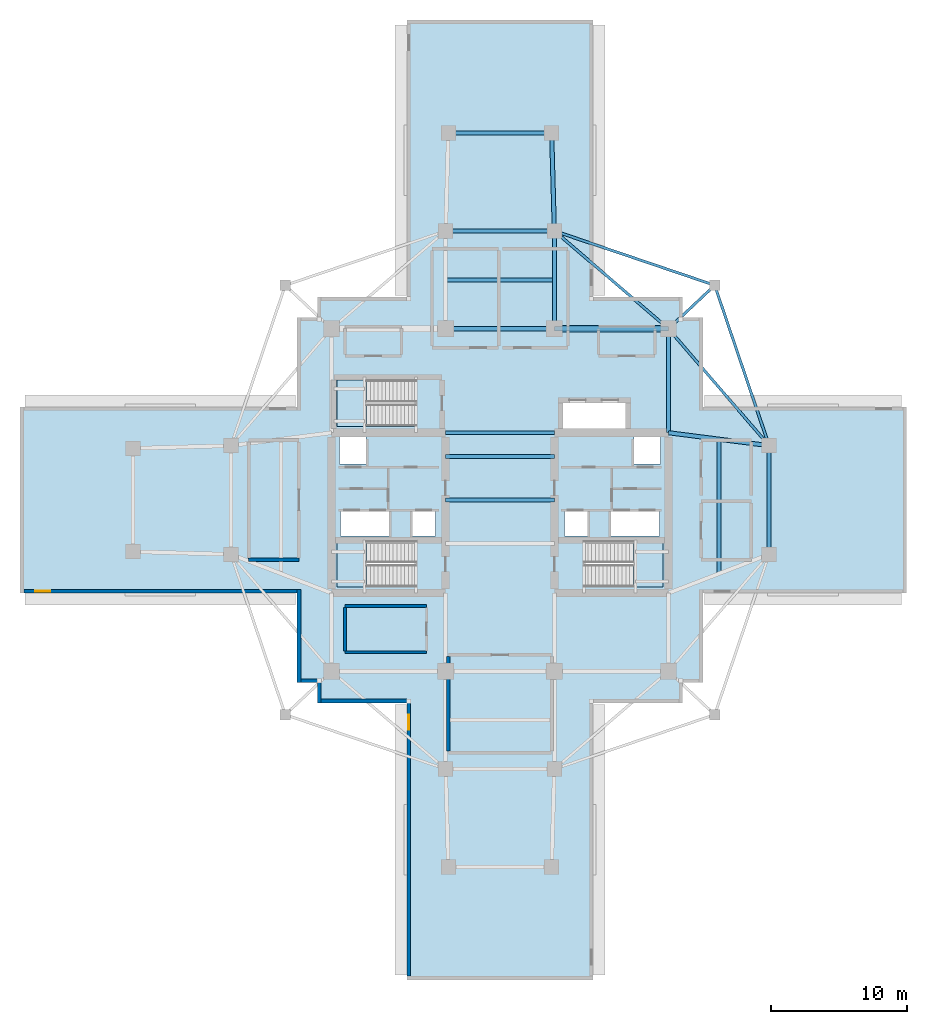
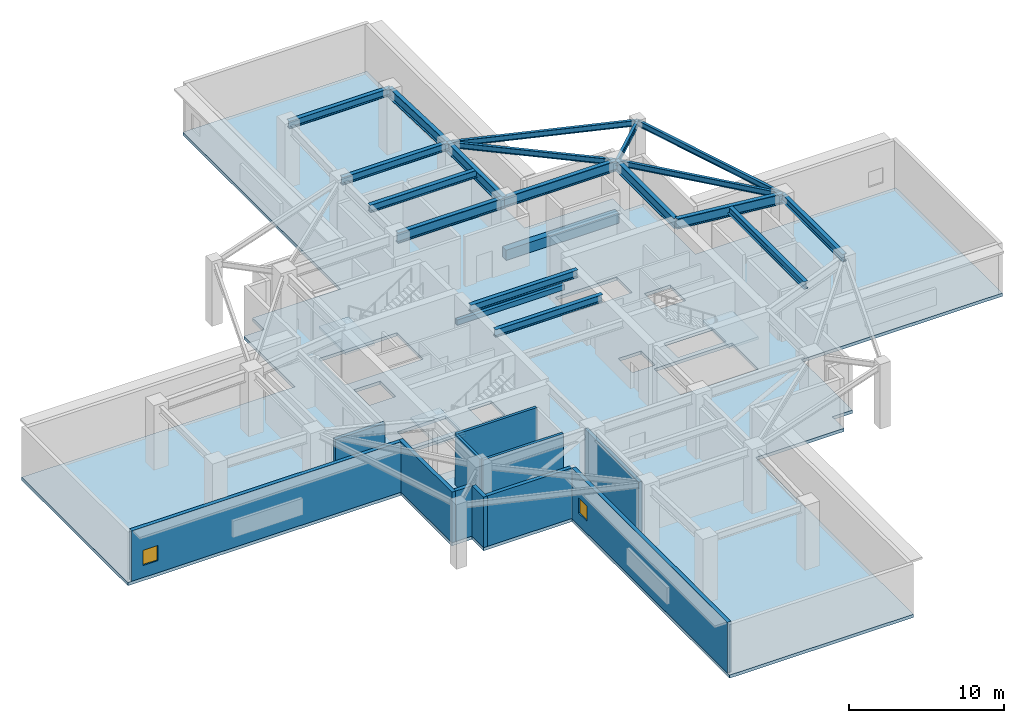
# One storey, part 2 of 11: 20 beams, 11 walls, 4 slabs, 2 windows, 2 openings, 3 elements without a shape of their own.
"""IFC4 building model written with IfcOpenShell, lengths in metres."""

from ifc_helpers import new_model, si_unit, direction, frame, frame_2d, origin, origin_2d, place, context, subcontext, project, spatial, polyline, rectangle, i_section, outline, extrude, material, layer, layer_set, material_profile, profile_set, type_object, element, fill, aggregate, save


model = new_model("IFC4")

# Units and contexts
model_context = context("Model", 3, precision=1e-05, world=origin(), true_north=direction((0.0, 1.0)))
body_context = subcontext(model_context, "Body", "Model", "MODEL_VIEW")
ifc_project = project(units=[si_unit("LENGTHUNIT", "METRE"), si_unit("AREAUNIT", "SQUARE_METRE"), si_unit("VOLUMEUNIT", "CUBIC_METRE"), si_unit("PLANEANGLEUNIT", "RADIAN"), si_unit("MASSUNIT", "GRAM", prefix="KILO")], contexts=[model_context])

# Site, building, storey
site_placement = place(None, origin())
site = spatial("IfcSite", under=ifc_project, at=site_placement, CompositionType="ELEMENT")
building_placement = place(site_placement, origin())
building = spatial("IfcBuilding", under=site, at=building_placement, Name="Qingluan Cross Belvedere", CompositionType="ELEMENT")
storey_placement = place(building_placement, frame((0.0, 0.0, 143.699951171875)))
storey = spatial("IfcBuildingStorey", under=building, at=storey_placement, Name="L36", CompositionType="ELEMENT", Elevation=143.699951171875)

# Beams
ifc_material_1 = material(Name="Concrete C45", Category="concrete")
ifc_material_profile_1 = material_profile(ifc_material_1, rectangle(XDim=0.25, YDim=0.39990234375, at=origin_2d()), Name="RC250x400")
ifc_profile_set_1 = profile_set([ifc_material_profile_1], Name="Concrete C45")
beam_type_1 = type_object("IfcBeamType", Name="RC_Lintel_RC250x400", PredefinedType="LINTEL", material=ifc_profile_set_1)
beam_1_placement = place(storey_placement, frame((-4.0, 4.949951171875, 2.449951171875), z_axis=(1.0, 0.0, 0.0), x_axis=(0.0, 1.0, 0.0)))
element("IfcBeam", 1, at=beam_1_placement, inside=storey, type_object=beam_type_1, Name="Core coupling lintel beam L36", PredefinedType="LINTEL", context=body_context, shape_type="SweptSolid", body=[
    extrude(rectangle(XDim=0.25, YDim=0.39990234375, at=origin_2d()), origin(), (0.0, 0.0, 1.0), 8.0),
])
ifc_material_2 = material(Name="Concrete C45", Category="concrete")
ifc_material_profile_2 = material_profile(ifc_material_2, rectangle(XDim=0.5, YDim=0.800048828125, at=origin_2d()), Name="RC500x800")
ifc_profile_set_2 = profile_set([ifc_material_profile_2], Name="Concrete C45")
beam_type_2 = type_object("IfcBeamType", Name="RC_Spandrel_RC500x800", PredefinedType="SPANDREL", material=ifc_profile_set_2)
beam_2_placement = place(storey_placement, frame((4.0, 12.60009765625, 0.400146484375), z_axis=(1.0, 0.0, 0.0), x_axis=(0.0, 1.0, 0.0)))
element("IfcBeam", 2, at=beam_2_placement, inside=storey, type_object=beam_type_2, Name="Perimeter RC spandrel beam L36-NE", PredefinedType="SPANDREL", context=body_context, shape_type="SweptSolid", body=[
    extrude(rectangle(XDim=0.5, YDim=0.800048828125, at=origin_2d()), origin(), (0.0, 0.0, 1.0), 8.39990234375),
])
ifc_material_3 = material(Name="Steel Q420GJB", Category="steel")
ifc_material_profile_3 = material_profile(ifc_material_3, i_section(OverallWidth=0.300048828125, OverallDepth=0.587890625, WebThickness=0.011962890625, FlangeThickness=0.02001953125, FilletRadius=0.02392578125, at=origin_2d()), Name="HM588x300x12x20")
ifc_profile_set_3 = profile_set([ifc_material_profile_3], Name="Steel Q420GJB")
beam_type_3 = type_object("IfcBeamType", Name="Steel_Beam_HM588x300x12x20", PredefinedType="BEAM", material=ifc_profile_set_3)
for number, where, z_axis, x_axis, name in (
    (3, (-4.0, 0.0, 4.60595703125), (1.0, 0.0, 0.0), (0.0, 1.0, 0.0), "Hall beam L36-CH2"),
    (4, (-4.0, 3.199951171875, 4.60595703125), (1.0, 0.0, 0.0), (0.0, 1.0, 0.0), "Hall beam L36-CH3"),
    (5, (19.800048828125, -4.0, 4.60595703125), (0.0, 1.0, 0.0), (-1.0, 0.0, 0.0), "Arm E tie L36"),
):
    element("IfcBeam", number, at=place(storey_placement, frame(where, z_axis=z_axis, x_axis=x_axis)), inside=storey, type_object=beam_type_3, Name=name, PredefinedType="BEAM", context=body_context, shape_type="SweptSolid", body=[
        extrude(i_section(OverallWidth=0.300048828125, OverallDepth=0.587890625, WebThickness=0.011962890625, FlangeThickness=0.02001953125, FilletRadius=0.02392578125, at=origin_2d()), origin(), (0.0, 0.0, 1.0), 8.0),
    ])
beam_3_placement = place(storey_placement, frame((16.10009765625, -5.425048828125, 4.60595703125), z_axis=(0.0, 1.0, 0.0), x_axis=(-1.0, 0.0, 0.0)))
element("IfcBeam", 6, at=beam_3_placement, inside=storey, type_object=beam_type_3, Name="Arm E beam L36", PredefinedType="BEAM", context=body_context, shape_type="SweptSolid", body=[
    extrude(i_section(OverallWidth=0.300048828125, OverallDepth=0.587890625, WebThickness=0.011962890625, FlangeThickness=0.02001953125, FilletRadius=0.02392578125, at=origin_2d()), origin(), (0.0, 0.0, 1.0), 9.900146484375),
])
for number, where, z_axis, x_axis, name in (
    (7, (-4.0, 19.800048828125, 4.60595703125), (1.0, 0.0, 0.0), (0.0, 1.0, 0.0), "Arm N tie L36"),
    (8, (-4.0, 16.199951171875, 4.60595703125), (1.0, 0.0, 0.0), (0.0, 1.0, 0.0), "Arm N beam L36"),
):
    element("IfcBeam", number, at=place(storey_placement, frame(where, z_axis=z_axis, x_axis=x_axis)), inside=storey, type_object=beam_type_3, Name=name, PredefinedType="BEAM", context=body_context, shape_type="SweptSolid", body=[
        extrude(i_section(OverallWidth=0.300048828125, OverallDepth=0.587890625, WebThickness=0.011962890625, FlangeThickness=0.02001953125, FilletRadius=0.02392578125, at=origin_2d()), origin(), (0.0, 0.0, 1.0), 8.0),
    ])
beam_4_placement = place(storey_placement, frame((-3.800048828125, 27.0, 4.60595703125), z_axis=(1.0, 0.0, 0.0), x_axis=(0.0, 1.0, 0.0)))
element("IfcBeam", 9, at=beam_4_placement, inside=storey, type_object=beam_type_3, Name="Arm N tip transverse beam L36", PredefinedType="BEAM", context=body_context, shape_type="SweptSolid", body=[
    extrude(i_section(OverallWidth=0.300048828125, OverallDepth=0.587890625, WebThickness=0.011962890625, FlangeThickness=0.02001953125, FilletRadius=0.02392578125, at=origin_2d()), origin(), (0.0, 0.0, 1.0), 7.60009765625),
])
ifc_material_4 = material(Name="Steel Q420GJB", Category="steel")
ifc_material_profile_4 = material_profile(ifc_material_4, i_section(OverallWidth=0.199951171875, OverallDepth=0.449951171875, WebThickness=0.009033203125, FlangeThickness=0.013916015625, FilletRadius=0.01611328125, at=origin_2d()), Name="HN450x200x9x14")
ifc_profile_set_4 = profile_set([ifc_material_profile_4], Name="Steel Q420GJB")
beam_type_4 = type_object("IfcBeamType", Name="Steel_Beam_HN450x200x9x14", PredefinedType="JOIST", material=ifc_profile_set_4)
beam_5_placement = place(storey_placement, frame((12.39990234375, 12.60009765625, 4.675048828125), z_axis=(0.728219948308, 0.685343495546, 0.0), x_axis=(-0.685343495546, 0.728219948308, 0.0)))
element("IfcBeam", 10, at=beam_5_placement, inside=storey, type_object=beam_type_4, Name="Corner beam 1 L36-RNE", PredefinedType="JOIST", context=body_context, shape_type="SweptSolid", body=[
    extrude(i_section(OverallWidth=0.199951171875, OverallDepth=0.449951171875, WebThickness=0.009033203125, FlangeThickness=0.013916015625, FilletRadius=0.01611328125, at=origin_2d()), origin(), (0.0, 0.0, 1.0), 4.669189453125),
])
for number, where, z_axis, x_axis, name in (
    (11, (15.800048828125, 15.800048828125, 4.675048828125), (-0.947066283324, 0.321038089628, 0.0), (-0.321038089628, -0.947066283324, 0.0), "Corner beam 2 L36-RNE"),
    (12, (15.800048828125, 15.800048828125, 4.675048828125), (0.321038089628, -0.947066283324, 0.0), (0.947066283324, 0.321038089628, 0.0), "Corner beam 3 L36-RNE"),
):
    element("IfcBeam", number, at=place(storey_placement, frame(where, z_axis=z_axis, x_axis=x_axis)), inside=storey, type_object=beam_type_4, Name=name, PredefinedType="JOIST", context=body_context, shape_type="SweptSolid", body=[
        extrude(i_section(OverallWidth=0.199951171875, OverallDepth=0.449951171875, WebThickness=0.009033203125, FlangeThickness=0.013916015625, FilletRadius=0.01611328125, at=origin_2d()), origin(), (0.0, 0.0, 1.0), 12.45947265625),
    ])
beam_6_placement = place(storey_placement, frame((12.39990234375, 12.60009765625, 4.675048828125), z_axis=(0.652245077546, -0.75800815221, 0.0), x_axis=(0.75800815221, 0.652245077546, 0.0)))
element("IfcBeam", 13, at=beam_6_placement, inside=storey, type_object=beam_type_4, Name="Corner beam 4 L36-RNE", PredefinedType="JOIST", context=body_context, shape_type="SweptSolid", body=[
    extrude(i_section(OverallWidth=0.199951171875, OverallDepth=0.449951171875, WebThickness=0.009033203125, FlangeThickness=0.013916015625, FilletRadius=0.01611328125, at=origin_2d()), origin(), (0.0, 0.0, 1.0), 11.345703125),
])
beam_7_placement = place(storey_placement, frame((12.39990234375, 12.60009765625, 4.675048828125), z_axis=(-0.759255044656, 0.650793190779, 0.0), x_axis=(-0.650793190779, -0.759255044656, 0.0)))
element("IfcBeam", 14, at=beam_7_placement, inside=storey, type_object=beam_type_4, Name="Corner beam 5 L36-RNE", PredefinedType="JOIST", context=body_context, shape_type="SweptSolid", body=[
    extrude(i_section(OverallWidth=0.199951171875, OverallDepth=0.449951171875, WebThickness=0.009033203125, FlangeThickness=0.013916015625, FilletRadius=0.01611328125, at=origin_2d()), origin(), (0.0, 0.0, 1.0), 11.063232421875),
])
ifc_material_5 = material(Name="Steel Q420GJB", Category="steel")
ifc_material_profile_5 = material_profile(ifc_material_5, i_section(OverallWidth=0.305908203125, OverallDepth=0.81396484375, WebThickness=0.02099609375, FlangeThickness=0.0400390625, FilletRadius=0.030029296875, at=origin_2d()), Name="HEM800")
ifc_profile_set_5 = profile_set([ifc_material_profile_5], Name="Steel Q420GJB")
beam_type_5 = type_object("IfcBeamType", Name="Steel_Girder_HEM800", PredefinedType="USERDEFINED", material=ifc_profile_set_5)
beam_8_placement = place(storey_placement, frame((-4.0, 12.60009765625, 4.4931640625), z_axis=(1.0, 0.0, 0.0), x_axis=(0.0, 1.0, 0.0)))
element("IfcBeam", 15, at=beam_8_placement, inside=storey, type_object=beam_type_5, Name="Hub girder L36-HG-N2", ObjectType="GIRDER", PredefinedType="USERDEFINED", context=body_context, shape_type="SweptSolid", body=[
    extrude(i_section(OverallWidth=0.305908203125, OverallDepth=0.81396484375, WebThickness=0.02099609375, FlangeThickness=0.0400390625, FilletRadius=0.030029296875, at=origin_2d()), origin(), (0.0, 0.0, 1.0), 8.0),
])
beam_9_placement = place(storey_placement, frame((4.0, 12.60009765625, 4.4931640625), z_axis=(1.0, 0.0, 0.0), x_axis=(0.0, 1.0, 0.0)))
element("IfcBeam", 16, at=beam_9_placement, inside=storey, type_object=beam_type_5, Name="Hub girder L36-HG-N3", ObjectType="GIRDER", PredefinedType="USERDEFINED", context=body_context, shape_type="SweptSolid", body=[
    extrude(i_section(OverallWidth=0.305908203125, OverallDepth=0.81396484375, WebThickness=0.02099609375, FlangeThickness=0.0400390625, FilletRadius=0.030029296875, at=origin_2d()), origin(), (0.0, 0.0, 1.0), 8.39990234375),
])
beam_10_placement = place(storey_placement, frame((12.39990234375, 4.949951171875, 4.4931640625), z_axis=(0.0, 1.0, 0.0), x_axis=(-1.0, 0.0, 0.0)))
element("IfcBeam", 17, at=beam_10_placement, inside=storey, type_object=beam_type_5, Name="Hub girder L36-HG-E2", ObjectType="GIRDER", PredefinedType="USERDEFINED", context=body_context, shape_type="SweptSolid", body=[
    extrude(i_section(OverallWidth=0.305908203125, OverallDepth=0.81396484375, WebThickness=0.02099609375, FlangeThickness=0.0400390625, FilletRadius=0.030029296875, at=origin_2d()), origin(), (0.0, 0.0, 1.0), 7.650146484375),
])
beam_11_placement = place(storey_placement, frame((12.39990234375, 4.949951171875, 4.4931640625), z_axis=(0.991861120628, -0.12732445714, 0.0), x_axis=(0.12732445714, 0.991861120628, 0.0)))
element("IfcBeam", 18, at=beam_11_placement, inside=storey, type_object=beam_type_5, Name="Arm E radial girder B L36", ObjectType="GIRDER", PredefinedType="USERDEFINED", context=body_context, shape_type="SweptSolid", body=[
    extrude(i_section(OverallWidth=0.305908203125, OverallDepth=0.81396484375, WebThickness=0.02099609375, FlangeThickness=0.0400390625, FilletRadius=0.030029296875, at=origin_2d()), origin(), (0.0, 0.0, 1.0), 7.4609375),
])
beam_12_placement = place(storey_placement, frame((4.0, 12.60009765625, 4.4931640625), z_axis=(0.0, 1.0, 0.0), x_axis=(-1.0, 0.0, 0.0)))
element("IfcBeam", 19, at=beam_12_placement, inside=storey, type_object=beam_type_5, Name="Arm N radial girder B L36", ObjectType="GIRDER", PredefinedType="USERDEFINED", context=body_context, shape_type="SweptSolid", body=[
    extrude(i_section(OverallWidth=0.305908203125, OverallDepth=0.81396484375, WebThickness=0.02099609375, FlangeThickness=0.0400390625, FilletRadius=0.030029296875, at=origin_2d()), origin(), (0.0, 0.0, 1.0), 7.199951171875),
])
beam_13_placement = place(storey_placement, frame((4.0, 19.800048828125, 4.4931640625), z_axis=(-0.027760481514, 0.999614603568, 0.0), x_axis=(-0.999614603568, -0.027760481514, 0.0)))
element("IfcBeam", 20, at=beam_13_placement, inside=storey, type_object=beam_type_5, Name="Arm N outer radial girder B L36", ObjectType="GIRDER", PredefinedType="USERDEFINED", context=body_context, shape_type="SweptSolid", body=[
    extrude(i_section(OverallWidth=0.305908203125, OverallDepth=0.81396484375, WebThickness=0.02099609375, FlangeThickness=0.0400390625, FilletRadius=0.030029296875, at=origin_2d()), origin(), (0.0, 0.0, 1.0), 7.20263671875),
])

# Slab
ifc_material_6 = material(Name="Concrete C40", Category="concrete")
ifc_layer_1 = layer(ifc_material_6, 0.25, Name="FloorSlab_250")
ifc_layer_set_1 = layer_set([ifc_layer_1], Name="Concrete C40")
slab_type_1 = type_object("IfcSlabType", Name="FloorSlab_250", PredefinedType="FLOOR", material=ifc_layer_set_1)
slab_1_placement = place(storey_placement, frame((0.0, 0.0, -0.25)))
element("IfcSlab", 21, at=slab_1_placement, inside=storey, type_object=slab_type_1, Name="Structural floor slab L36", PredefinedType="FLOOR", context=body_context, shape_type="SweptSolid", body=[
    extrude(outline(polyline([(6.860107421875, -35.320068359375), (6.860107421875, -14.93994140625), (13.43994140625, -14.93994140625), (13.43994140625, -13.43994140625), (14.93994140625, -13.43994140625), (14.93994140625, -6.860107421875), (29.919921875, -6.860107421875), (29.919921875, 6.860107421875), (14.93994140625, 6.860107421875), (14.93994140625, 13.43994140625), (13.43994140625, 13.43994140625), (13.43994140625, 14.93994140625), (6.860107421875, 14.93994140625), (6.860107421875, 35.320068359375), (-6.860107421875, 35.320068359375), (-6.860107421875, 14.93994140625), (-13.43994140625, 14.93994140625), (-13.43994140625, 13.43994140625), (-14.93994140625, 13.43994140625), (-14.93994140625, 6.860107421875), (-35.320068359375, 6.860107421875), (-35.320068359375, -6.860107421875), (-14.93994140625, -6.860107421875), (-14.93994140625, -13.43994140625), (-13.43994140625, -13.43994140625), (-13.43994140625, -14.93994140625), (-6.860107421875, -14.93994140625), (-6.860107421875, -35.320068359375), (6.860107421875, -35.320068359375)]), holes=[polyline([(-12.0, -3.0), (-6.179931640625, -3.0), (-6.179931640625, -6.39990234375), (-12.0, -6.39990234375), (-12.0, -3.0)]), polyline([(6.179931640625, -3.0), (12.0, -3.0), (12.0, -6.39990234375), (6.179931640625, -6.39990234375), (6.179931640625, -3.0)]), polyline([(-12.0, 8.820068359375), (-6.179931640625, 8.820068359375), (-6.179931640625, 5.419921875), (-12.0, 5.419921875), (-12.0, 8.820068359375)]), polyline([(-11.800048828125, 4.64990234375), (-9.85009765625, 4.64990234375), (-9.85009765625, 2.64990234375), (-11.800048828125, 2.64990234375), (-11.800048828125, 4.64990234375)]), polyline([(9.85009765625, 4.64990234375), (11.800048828125, 4.64990234375), (11.800048828125, 2.64990234375), (9.85009765625, 2.64990234375), (9.85009765625, 4.64990234375)]), polyline([(-11.75, -0.840087890625), (-8.14990234375, -0.840087890625), (-8.14990234375, -2.659912109375), (-11.75, -2.659912109375), (-11.75, -0.840087890625)]), polyline([(-6.449951171875, -0.840087890625), (-4.75, -0.840087890625), (-4.75, -2.659912109375), (-6.449951171875, -2.659912109375), (-6.449951171875, -0.840087890625)]), polyline([(4.75, -0.840087890625), (6.449951171875, -0.840087890625), (6.449951171875, -2.659912109375), (4.75, -2.659912109375), (4.75, -0.840087890625)]), polyline([(8.14990234375, -0.840087890625), (11.75, -0.840087890625), (11.75, -2.659912109375), (8.14990234375, -2.659912109375), (8.14990234375, -0.840087890625)]), polyline([(4.64990234375, 7.14990234375), (9.25, 7.14990234375), (9.25, 5.14990234375), (4.64990234375, 5.14990234375), (4.64990234375, 7.14990234375)])]), origin(), (0.0, 0.0, 1.0), 0.25),
])

# Stair, slab
ifc_material_7 = material(Name="Concrete C40", Category="concrete")
stair_type = type_object("IfcStairType", Name="CoreDoglegStair_1620", PredefinedType="HALF_TURN_STAIR", material=ifc_material_7)
stair_1_placement = place(storey_placement, origin())
stair_1 = element("IfcStair", 22, at=stair_1_placement, inside=storey, type_object=stair_type, Name="L36 ST1", PredefinedType="HALF_TURN_STAIR")
ifc_material_8 = material(Name="Concrete C40", Category="concrete")
ifc_layer_2 = layer(ifc_material_8, 0.179931640625, Name="StairLandingSlab_180")
ifc_layer_set_2 = layer_set([ifc_layer_2], Name="Concrete C40")
slab_type_2 = type_object("IfcSlabType", Name="StairLandingSlab_180", PredefinedType="LANDING", material=ifc_layer_set_2)
slab_2_placement = place(storey_placement, frame((0.0, 0.0, 2.35009765625)))
slab_2 = element("IfcSlab", 23, at=slab_2_placement, type_object=slab_type_2, Name="ST1 landing 1", PredefinedType="LANDING", context=body_context, shape_type="SweptSolid", body=[
    extrude(outline(polyline([(-9.820068359375, -3.0), (-12.0, -3.0), (-12.0, -6.39990234375), (-9.820068359375, -6.39990234375), (-9.820068359375, -3.0)])), origin(), (0.0, 0.0, 1.0), 0.199951171875),
])
aggregate(stair_1, [slab_2])

stair_2_placement = place(storey_placement, origin())
stair_2 = element("IfcStair", 24, at=stair_2_placement, inside=storey, type_object=stair_type, Name="L36 ST2", PredefinedType="HALF_TURN_STAIR")
slab_3_placement = place(storey_placement, frame((0.0, 0.0, 2.35009765625)))
slab_3 = element("IfcSlab", 25, at=slab_3_placement, type_object=slab_type_2, Name="ST2 landing 1", PredefinedType="LANDING", context=body_context, shape_type="SweptSolid", body=[
    extrude(outline(polyline([(9.820068359375, -6.39990234375), (12.0, -6.39990234375), (12.0, -3.0), (9.820068359375, -3.0), (9.820068359375, -6.39990234375)])), origin(), (0.0, 0.0, 1.0), 0.199951171875),
])
aggregate(stair_2, [slab_3])

stair_3_placement = place(storey_placement, origin())
stair_3 = element("IfcStair", 26, at=stair_3_placement, inside=storey, type_object=stair_type, Name="L36 ST3", PredefinedType="HALF_TURN_STAIR")
slab_4_placement = place(storey_placement, frame((0.0, 0.0, 2.35009765625)))
slab_4 = element("IfcSlab", 27, at=slab_4_placement, type_object=slab_type_2, Name="ST3 landing 1", PredefinedType="LANDING", context=body_context, shape_type="SweptSolid", body=[
    extrude(outline(polyline([(-9.820068359375, 8.820068359375), (-12.0, 8.820068359375), (-12.0, 5.419921875), (-9.820068359375, 5.419921875), (-9.820068359375, 8.820068359375)])), origin(), (0.0, 0.0, 1.0), 0.199951171875),
])
aggregate(stair_3, [slab_4])

# Walls
ifc_material_9 = material(Name="Gypsum plasterboard on steel stud acoustic partition", Category="steel")
ifc_layer_3 = layer(ifc_material_9, 0.159912109375, Name="CorridorPartition_160")
ifc_layer_set_3 = layer_set([ifc_layer_3], Name="Gypsum plasterboard on steel stud acoustic partition")
wall_type_1 = type_object("IfcWallType", Name="CorridorPartition_160", PredefinedType="PARTITIONING", material=ifc_layer_set_3)
for number, where, z_axis, x_axis, name in (
    (28, (-11.39990234375, -11.199951171875, 0.0), (0.0, 0.0, 1.0), (1.0, 0.0, 0.0), "Partition L36:bms_plant:S"),
    (29, (-11.39990234375, -7.800048828125, 0.0), (0.0, 0.0, 1.0), (1.0, 0.0, 0.0), "Partition L36:bms_plant:N"),
):
    element("IfcWall", number, at=place(storey_placement, frame(where, z_axis=z_axis, x_axis=x_axis)), inside=storey, type_object=wall_type_1, Name=name, PredefinedType="PARTITIONING", context=body_context, shape_type="SweptSolid", body=[
        extrude(rectangle(XDim=6.0, YDim=0.199951171875, at=frame_2d((3.0, 0.0))), origin(), (0.0, 0.0, 1.0), 3.969970703125),
    ])
wall_1_placement = place(storey_placement, frame((-11.39990234375, -11.094970703125, 0.0), z_axis=(0.0, 0.0, 1.0), x_axis=(0.0, 1.0, 0.0)))
element("IfcWall", 30, at=wall_1_placement, inside=storey, type_object=wall_type_1, Name="Partition L36:bms_plant:W", PredefinedType="PARTITIONING", context=body_context, shape_type="SweptSolid", body=[
    extrude(rectangle(XDim=3.18994140625, YDim=0.199951171875, at=frame_2d((1.594970703125, 0.0))), origin(), (0.0, 0.0, 1.0), 3.969970703125),
])
ifc_material_10 = material(Name="Concrete C40", Category="concrete")
ifc_layer_4 = layer(ifc_material_10, 0.300048828125, Name="FireCompartmentWall_300")
ifc_layer_set_4 = layer_set([ifc_layer_4], Name="Concrete C40")
wall_type_2 = type_object("IfcWallType", Name="FireCompartmentWall_300", PredefinedType="SOLIDWALL", material=ifc_layer_set_4)
wall_2_placement = place(storey_placement, frame((-3.800048828125, -18.469970703125, 0.0), z_axis=(0.0, 0.0, 1.0), x_axis=(0.0, 1.0, 0.0)))
element("IfcWall", 31, at=wall_2_placement, inside=storey, type_object=wall_type_2, Name="Partition L36:refuge_s:W", PredefinedType="SOLIDWALL", context=body_context, shape_type="SweptSolid", body=[
    extrude(rectangle(XDim=6.93994140625, YDim=0.25, at=frame_2d((3.469970703125, 0.0))), origin(), (0.0, 0.0, 1.0), 3.969970703125),
])
wall_3_placement = place(storey_placement, frame((-18.5, -4.39990234375, 0.0), z_axis=(0.0, 0.0, 1.0), x_axis=(1.0, 0.0, 0.0)))
element("IfcWall", 32, at=wall_3_placement, inside=storey, type_object=wall_type_2, Name="Partition L36:elec_plant:S", PredefinedType="SOLIDWALL", context=body_context, shape_type="SweptSolid", body=[
    extrude(rectangle(XDim=3.699951171875, YDim=0.25, at=frame_2d((1.85009765625, 0.0))), origin(), (0.0, 0.0, 1.0), 3.969970703125),
])

# Wall, opening, window
ifc_material_11 = material(Name="Precast concrete C45", Category="concrete")
ifc_layer_5 = layer(ifc_material_11, 0.280029296875, Name="PrecastFacadeWall_280")
ifc_layer_set_5 = layer_set([ifc_layer_5], Name="Precast concrete C45")
wall_type_3 = type_object("IfcWallType", Name="PrecastFacadeWall_280", PredefinedType="STANDARD", material=ifc_layer_set_5)
wall_4_placement = place(storey_placement, frame((-35.0400390625, -6.719970703125, 0.0), z_axis=(0.0, 0.0, 1.0), x_axis=(1.0, 0.0, 0.0)))
wall_4 = element("IfcWall", 33, at=wall_4_placement, inside=storey, type_object=wall_type_3, Name="Facade wall L36-WB", PredefinedType="STANDARD", context=body_context, shape_type="SweptSolid", body=[
    extrude(rectangle(XDim=20.10009765625, YDim=0.280029296875, at=frame_2d((10.050048828125, 0.0))), origin(), (0.0, 0.0, 1.0), 3.97998046875),
])
opening_1_placement = place(wall_4_placement, frame((0.85009765625, 0.0, 0.949951171875)))
opening_1 = element("IfcOpeningElement", 34, at=opening_1_placement, cuts=wall_4, Name="Opening W-07", PredefinedType="OPENING", context=body_context, shape_type="SweptSolid", body=[
    extrude(rectangle(XDim=1.10009765625, YDim=1.199951171875, at=frame_2d((0.550048828125, 0.60009765625))), frame((0.0, 0.14990234375, 0.0), z_axis=(0.0, -1.0, 0.0), x_axis=(1.0, 0.0, 0.0)), (0.0, 0.0, 1.0), 0.300048828125),
])
ifc_material_12 = material(Name="Thermally broken triple Low-E glass in aluminium frame", Category="aluminium")
window_type = type_object("IfcWindowType", Name="RefugeSmokeWin_1100x1200", PartitioningType="SINGLE_PANEL", PredefinedType="WINDOW", material=ifc_material_12)
window_1_placement = place(opening_1_placement, origin())
window_1 = element("IfcWindow", 35, at=window_1_placement, inside=storey, type_object=window_type, Name="Refuge operable smoke window L36-WB", OverallHeight=1.199951171875, OverallWidth=1.10009765625, PartitioningType="SINGLE_PANEL", PredefinedType="WINDOW", context=body_context, shape_type="SweptSolid", body=[
    extrude(rectangle(XDim=1.10009765625, YDim=1.199951171875, at=frame_2d((0.550048828125, 0.60009765625))), frame((0.0, 0.030029296875, 0.0), z_axis=(0.0, -1.0, 0.0), x_axis=(1.0, 0.0, 0.0)), (0.0, 0.0, 1.0), 0.06005859375),
])
fill(opening_1, window_1)

wall_5_placement = place(storey_placement, frame((-6.719970703125, -14.93994140625, 0.0), z_axis=(0.0, 0.0, 1.0), x_axis=(0.0, -1.0, 0.0)))
wall_5 = element("IfcWall", 36, at=wall_5_placement, inside=storey, type_object=wall_type_3, Name="Facade wall L36-SA", PredefinedType="STANDARD", context=body_context, shape_type="SweptSolid", body=[
    extrude(rectangle(XDim=20.10009765625, YDim=0.280029296875, at=frame_2d((10.050048828125, 0.0))), origin(), (0.0, 0.0, 1.0), 3.97998046875),
])
opening_2_placement = place(wall_5_placement, frame((0.85009765625, 0.0, 0.949951171875)))
opening_2 = element("IfcOpeningElement", 37, at=opening_2_placement, cuts=wall_5, Name="Opening W-07", PredefinedType="OPENING", context=body_context, shape_type="SweptSolid", body=[
    extrude(rectangle(XDim=1.10009765625, YDim=1.199951171875, at=frame_2d((0.550048828125, 0.60009765625))), frame((0.0, 0.14990234375, 0.0), z_axis=(0.0, -1.0, 0.0), x_axis=(1.0, 0.0, 0.0)), (0.0, 0.0, 1.0), 0.300048828125),
])
window_2_placement = place(opening_2_placement, origin())
window_2 = element("IfcWindow", 38, at=window_2_placement, inside=storey, type_object=window_type, Name="Refuge operable smoke window L36-SA", OverallHeight=1.199951171875, OverallWidth=1.10009765625, PartitioningType="SINGLE_PANEL", PredefinedType="WINDOW", context=body_context, shape_type="SweptSolid", body=[
    extrude(rectangle(XDim=1.10009765625, YDim=1.199951171875, at=frame_2d((0.550048828125, 0.60009765625))), frame((0.0, 0.030029296875, 0.0), z_axis=(0.0, -1.0, 0.0), x_axis=(1.0, 0.0, 0.0)), (0.0, 0.0, 1.0), 0.06005859375),
])
fill(opening_2, window_2)

# Walls
wall_6_placement = place(storey_placement, frame((-14.800048828125, -6.580078125, 0.0), z_axis=(0.0, 0.0, 1.0), x_axis=(0.0, -1.0, 0.0)))
element("IfcWall", 39, at=wall_6_placement, inside=storey, type_object=wall_type_3, Name="Corner wall L36-SW1", PredefinedType="STANDARD", context=body_context, shape_type="SweptSolid", body=[
    extrude(rectangle(XDim=6.85986328125, YDim=0.280029296875, at=frame_2d((3.429931640625, 0.0))), origin(), (0.0, 0.0, 1.0), 3.97998046875),
])
wall_7_placement = place(storey_placement, frame((-14.659912109375, -13.300048828125, 0.0), z_axis=(0.0, 0.0, 1.0), x_axis=(1.0, 0.0, 0.0)))
element("IfcWall", 40, at=wall_7_placement, inside=storey, type_object=wall_type_3, Name="Corner wall L36-SW2", PredefinedType="STANDARD", context=body_context, shape_type="SweptSolid", body=[
    extrude(rectangle(XDim=1.219970703125, YDim=0.280029296875, at=frame_2d((0.60986328125, 0.0))), origin(), (0.0, 0.0, 1.0), 3.97998046875),
])
wall_8_placement = place(storey_placement, frame((-13.300048828125, -13.43994140625, 0.0), z_axis=(0.0, 0.0, 1.0), x_axis=(0.0, -1.0, 0.0)))
element("IfcWall", 41, at=wall_8_placement, inside=storey, type_object=wall_type_3, Name="Corner wall L36-SW3", PredefinedType="STANDARD", context=body_context, shape_type="SweptSolid", body=[
    extrude(rectangle(XDim=1.5, YDim=0.280029296875, at=frame_2d((0.75, 0.0))), origin(), (0.0, 0.0, 1.0), 3.97998046875),
])
wall_9_placement = place(storey_placement, frame((-13.159912109375, -14.800048828125, 0.0), z_axis=(0.0, 0.0, 1.0), x_axis=(1.0, 0.0, 0.0)))
element("IfcWall", 42, at=wall_9_placement, inside=storey, type_object=wall_type_3, Name="Corner wall L36-SW4", PredefinedType="STANDARD", context=body_context, shape_type="SweptSolid", body=[
    extrude(rectangle(XDim=6.2998046875, YDim=0.280029296875, at=frame_2d((3.14990234375, 0.0))), origin(), (0.0, 0.0, 1.0), 3.97998046875),
])

save(model, "model.ifc")
